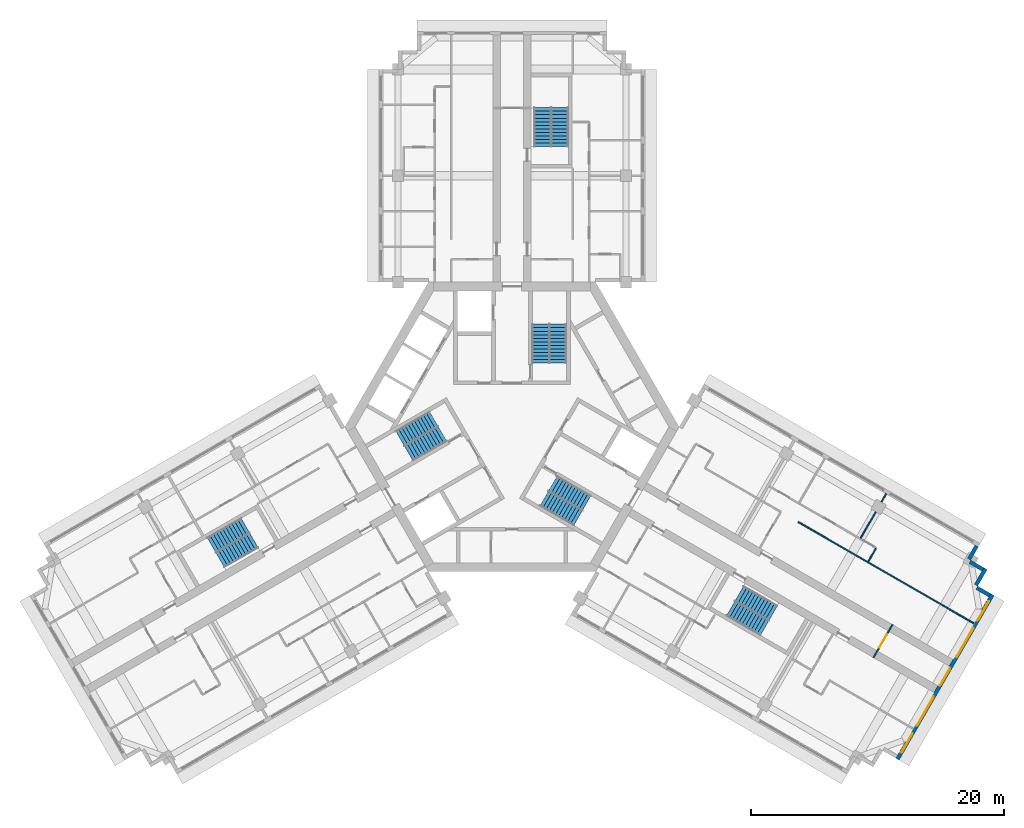
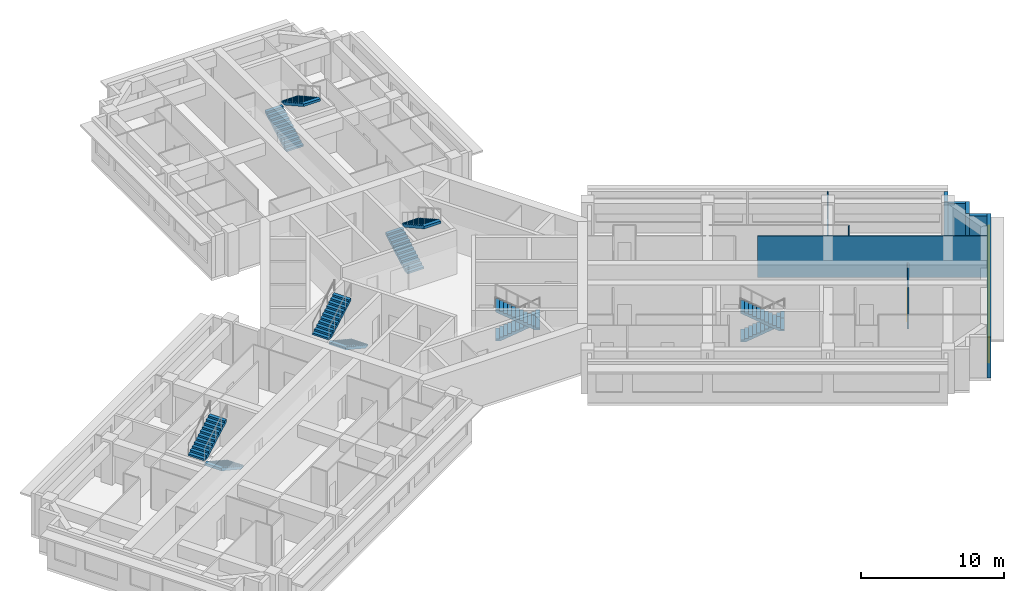
# One storey, part 9 of 10: 12 stair flights, 10 walls, 5 windows, 1 door, 6 openings, 6 elements without a shape of their own.
"""IFC4 building model written with IfcOpenShell, lengths in metres."""

from ifc_helpers import new_model, si_unit, direction, frame, frame_2d, origin, place, context, subcontext, project, spatial, polyline, rectangle, outline, extrude, material, layer, layer_set, type_object, element, fill, aggregate, save


model = new_model("IFC4")

# Units and contexts
model_context = context("Model", 3, precision=1e-05, world=origin(), true_north=direction((0.0, 1.0)))
body_context = subcontext(model_context, "Body", "Model", "MODEL_VIEW")
ifc_project = project(units=[si_unit("LENGTHUNIT", "METRE"), si_unit("AREAUNIT", "SQUARE_METRE"), si_unit("VOLUMEUNIT", "CUBIC_METRE"), si_unit("PLANEANGLEUNIT", "RADIAN"), si_unit("MASSUNIT", "GRAM", prefix="KILO")], contexts=[model_context])

# Site, building, storey
site_placement = place(None, origin())
site = spatial("IfcSite", under=ifc_project, at=site_placement, CompositionType="ELEMENT")
building_placement = place(site_placement, origin())
building = spatial("IfcBuilding", under=site, at=building_placement, Name="Impinga Residences", CompositionType="ELEMENT")
storey_placement = place(building_placement, frame((0.0, 0.0, 192.25)))
storey = spatial("IfcBuildingStorey", under=building, at=storey_placement, Name="L47", CompositionType="ELEMENT", Elevation=192.25)

# Wall, opening, door
ifc_material_1 = material(Name="Concrete blockwork", Category="masonry")
ifc_layer_1 = layer(ifc_material_1, 0.10009765625)
ifc_layer_set_1 = layer_set([ifc_layer_1], Name="CP1 core room partition, blockwork 100")
wall_type_1 = type_object("IfcWallType", Name="CP1 core room partition, blockwork 100", PredefinedType="PARTITIONING", material=ifc_layer_set_1)
wall_1_placement = place(storey_placement, frame((30.049072265625, -15.61669921875, 0.0), z_axis=(0.0, 0.0, 1.0), x_axis=(-0.499990139034, -0.866031096941, 0.0)))
wall_1 = element("IfcWall", 1, at=wall_1_placement, inside=storey, type_object=wall_type_1, Name="Core room partition, blockwork L47:E:LNG", PredefinedType="PARTITIONING", context=body_context, shape_type="SweptSolid", body=[
    extrude(rectangle(XDim=3.0, YDim=0.10009765625, at=frame_2d((1.5, 0.0))), origin(), (0.0, 0.0, 1.0), 3.530029296875),
])
opening_1_placement = place(wall_1_placement, frame((0.89990234375, 0.0, 0.0)))
opening_1 = element("IfcOpeningElement", 2, at=opening_1_placement, cuts=wall_1, Name="Opening D3", PredefinedType="OPENING", context=body_context, shape_type="SweptSolid", body=[
    extrude(rectangle(XDim=1.199951171875, YDim=2.10009765625, at=frame_2d((0.60009765625, 1.050048828125))), frame((0.0, 0.06005859375, 0.0), z_axis=(0.0, -1.0, 0.0), x_axis=(1.0, 0.0, 0.0)), (0.0, 0.0, 1.0), 0.1201171875),
])
ifc_material_2 = material(Name="Timber door set", Category="wood")
door_type = type_object("IfcDoorType", Name="D3 room door, leaf and a half 1200x2100", OperationType="DOUBLE_SWING_LEFT", PredefinedType="DOOR", material=ifc_material_2)
door_placement = place(opening_1_placement, origin())
door = element("IfcDoor", 3, at=door_placement, inside=storey, type_object=door_type, Name="Residents' lounge door E", OperationType="DOUBLE_SWING_LEFT", OverallHeight=2.10009765625, OverallWidth=1.199951171875, PredefinedType="DOOR", context=body_context, shape_type="SweptSolid", body=[
    extrude(rectangle(XDim=1.199951171875, YDim=2.10009765625, at=frame_2d((0.60009765625, 1.050048828125))), frame((0.0, 0.02490234375, 0.0), z_axis=(0.0, -1.0, 0.0), x_axis=(1.0, 0.0, 0.0)), (0.0, 0.0, 1.0), 0.050048828125),
])
fill(opening_1, door)

# Walls
ifc_material_3 = material(Name="Terracotta rainscreen on blockwork", Category="masonry")
ifc_layer_2 = layer(ifc_material_3, 0.300048828125)
ifc_layer_set_2 = layer_set([ifc_layer_2], Name="EW1 external wall, terracotta rainscreen on blockwork 300")
wall_type_2 = type_object("IfcWallType", Name="EW1 external wall, terracotta rainscreen on blockwork 300", PredefinedType="SOLIDWALL", material=ifc_layer_set_2)
wall_2_placement = place(storey_placement, frame((36.69384765625, -9.4072265625, 0.0), z_axis=(0.0, 0.0, 1.0), x_axis=(-0.499880961361, -0.866094119867, 0.0)))
element("IfcWall", 4, at=wall_2_placement, inside=storey, type_object=wall_type_2, Name="External wall EW1 L47", PredefinedType="SOLIDWALL", context=body_context, shape_type="SweptSolid", body=[
    extrude(rectangle(XDim=1.199951171875, YDim=0.300048828125, at=frame_2d((0.60009765625, 0.0))), origin(), (0.0, 0.0, 1.0), 3.530029296875),
])
wall_3_placement = place(storey_placement, frame((36.153076171875, -10.654052734375, 0.0), z_axis=(0.0, 0.0, 1.0), x_axis=(0.866059708757, -0.499940577336, 0.0)))
element("IfcWall", 5, at=wall_3_placement, inside=storey, type_object=wall_type_2, Name="External wall EW1 L47", PredefinedType="SOLIDWALL", context=body_context, shape_type="SweptSolid", body=[
    extrude(rectangle(XDim=1.195068359375, YDim=0.300048828125, at=frame_2d((0.59765625, 0.0))), origin(), (0.0, 0.0, 1.0), 3.530029296875),
])
wall_4_placement = place(storey_placement, frame((37.39306640625, -11.196533203125, 0.0), z_axis=(0.0, 0.0, 1.0), x_axis=(-0.499990139034, -0.866031096941, 0.0)))
element("IfcWall", 6, at=wall_4_placement, inside=storey, type_object=wall_type_2, Name="External wall EW1 L47", PredefinedType="SOLIDWALL", context=body_context, shape_type="SweptSolid", body=[
    extrude(rectangle(XDim=1.5, YDim=0.300048828125, at=frame_2d((0.75, 0.0))), origin(), (0.0, 0.0, 1.0), 3.530029296875),
])
wall_5_placement = place(storey_placement, frame((36.7021484375, -12.702880859375, 0.0), z_axis=(0.0, 0.0, 1.0), x_axis=(0.865971243484, -0.500093796661, 0.0)))
element("IfcWall", 7, at=wall_5_placement, inside=storey, type_object=wall_type_2, Name="External wall EW1 L47", PredefinedType="SOLIDWALL", context=body_context, shape_type="SweptSolid", body=[
    extrude(rectangle(XDim=1.195068359375, YDim=0.300048828125, at=frame_2d((0.59765625, 0.0))), origin(), (0.0, 0.0, 1.0), 3.530029296875),
])

# Wall, openings, windows
wall_6_placement = place(storey_placement, frame((37.94189453125, -13.24560546875, 0.0), z_axis=(0.0, 0.0, 1.0), x_axis=(-0.500004234368, -0.866022959057, 0.0)))
wall_6 = element("IfcWall", 8, at=wall_6_placement, inside=storey, type_object=wall_type_2, Name="External wall EW1 L47", PredefinedType="SOLIDWALL", context=body_context, shape_type="SweptSolid", body=[
    extrude(rectangle(XDim=14.999755859375, YDim=0.300048828125, at=frame_2d((7.5, 0.0))), origin(), (0.0, 0.0, 1.0), 3.530029296875),
])
opening_2_placement = place(wall_6_placement, frame((0.60009765625, 0.0, 0.89990234375)))
opening_2 = element("IfcOpeningElement", 9, at=opening_2_placement, cuts=wall_6, Name="Opening W1", PredefinedType="OPENING", context=body_context, shape_type="SweptSolid", body=[
    extrude(rectangle(XDim=1.75, YDim=2.050048828125, at=frame_2d((0.875, 1.02490234375))), frame((0.0, 0.159912109375, 0.0), z_axis=(0.0, -1.0, 0.0), x_axis=(1.0, 0.0, 0.0)), (0.0, 0.0, 1.0), 0.320068359375),
])
opening_3_placement = place(wall_6_placement, frame((3.050048828125, 0.0, 0.89990234375)))
opening_3 = element("IfcOpeningElement", 10, at=opening_3_placement, cuts=wall_6, Name="Opening W18", PredefinedType="OPENING", context=body_context, shape_type="SweptSolid", body=[
    extrude(rectangle(XDim=2.64990234375, YDim=2.050048828125, at=frame_2d((1.324951171875, 1.02490234375))), frame((0.0, 0.159912109375, 0.0), z_axis=(0.0, -1.0, 0.0), x_axis=(1.0, 0.0, 0.0)), (0.0, 0.0, 1.0), 0.320068359375),
])
opening_4_placement = place(wall_6_placement, frame((6.699951171875, 0.0, 0.89990234375)))
opening_4 = element("IfcOpeningElement", 11, at=opening_4_placement, cuts=wall_6, Name="Opening W19", PredefinedType="OPENING", context=body_context, shape_type="SweptSolid", body=[
    extrude(rectangle(XDim=1.60009765625, YDim=2.050048828125, at=frame_2d((0.800048828125, 1.02490234375))), frame((0.0, 0.159912109375, 0.0), z_axis=(0.0, -1.0, 0.0), x_axis=(1.0, 0.0, 0.0)), (0.0, 0.0, 1.0), 0.320068359375),
])
opening_5_placement = place(wall_6_placement, frame((9.300048828125, 0.0, 0.89990234375)))
opening_5 = element("IfcOpeningElement", 12, at=opening_5_placement, cuts=wall_6, Name="Opening W18", PredefinedType="OPENING", context=body_context, shape_type="SweptSolid", body=[
    extrude(rectangle(XDim=2.64990234375, YDim=2.050048828125, at=frame_2d((1.324951171875, 1.02490234375))), frame((0.0, 0.159912109375, 0.0), z_axis=(0.0, -1.0, 0.0), x_axis=(1.0, 0.0, 0.0)), (0.0, 0.0, 1.0), 0.320068359375),
])
opening_6_placement = place(wall_6_placement, frame((12.64990234375, 0.0, 0.89990234375)))
opening_6 = element("IfcOpeningElement", 13, at=opening_6_placement, cuts=wall_6, Name="Opening W1", PredefinedType="OPENING", context=body_context, shape_type="SweptSolid", body=[
    extrude(rectangle(XDim=1.75, YDim=2.050048828125, at=frame_2d((0.875, 1.02490234375))), frame((0.0, 0.159912109375, 0.0), z_axis=(0.0, -1.0, 0.0), x_axis=(1.0, 0.0, 0.0)), (0.0, 0.0, 1.0), 0.320068359375),
])
ifc_material_4 = material(Name="Aluminium window, clear double glazing", Category="aluminium")
window_type_1 = type_object("IfcWindowType", Name="W1 ribbon window 1750x2050", PartitioningType="SINGLE_PANEL", PredefinedType="WINDOW", material=ifc_material_4)
window_1_placement = place(opening_2_placement, origin())
window_1 = element("IfcWindow", 14, at=window_1_placement, inside=storey, type_object=window_type_1, Name="Window L47", OverallHeight=2.050048828125, OverallWidth=1.75, PartitioningType="SINGLE_PANEL", PredefinedType="WINDOW", context=body_context, shape_type="SweptSolid", body=[
    extrude(rectangle(XDim=1.75, YDim=2.050048828125, at=frame_2d((0.875, 1.02490234375))), frame((0.0, 0.030029296875, 0.0), z_axis=(0.0, -1.0, 0.0), x_axis=(1.0, 0.0, 0.0)), (0.0, 0.0, 1.0), 0.06005859375),
])
fill(opening_2, window_1)
window_2_placement = place(opening_6_placement, origin())
window_2 = element("IfcWindow", 15, at=window_2_placement, inside=storey, type_object=window_type_1, Name="Window L47", OverallHeight=2.050048828125, OverallWidth=1.75, PartitioningType="SINGLE_PANEL", PredefinedType="WINDOW", context=body_context, shape_type="SweptSolid", body=[
    extrude(rectangle(XDim=1.75, YDim=2.050048828125, at=frame_2d((0.875, 1.02490234375))), frame((0.0, 0.030029296875, 0.0), z_axis=(0.0, -1.0, 0.0), x_axis=(1.0, 0.0, 0.0)), (0.0, 0.0, 1.0), 0.06005859375),
])
fill(opening_6, window_2)
window_type_2 = type_object("IfcWindowType", Name="W18 ribbon window 2650x2050", PartitioningType="SINGLE_PANEL", PredefinedType="WINDOW", material=ifc_material_4)
window_3_placement = place(opening_3_placement, origin())
window_3 = element("IfcWindow", 16, at=window_3_placement, inside=storey, type_object=window_type_2, Name="Window L47", OverallHeight=2.050048828125, OverallWidth=2.64990234375, PartitioningType="SINGLE_PANEL", PredefinedType="WINDOW", context=body_context, shape_type="SweptSolid", body=[
    extrude(rectangle(XDim=2.64990234375, YDim=2.050048828125, at=frame_2d((1.324951171875, 1.02490234375))), frame((0.0, 0.030029296875, 0.0), z_axis=(0.0, -1.0, 0.0), x_axis=(1.0, 0.0, 0.0)), (0.0, 0.0, 1.0), 0.06005859375),
])
fill(opening_3, window_3)
window_4_placement = place(opening_5_placement, origin())
window_4 = element("IfcWindow", 17, at=window_4_placement, inside=storey, type_object=window_type_2, Name="Window L47", OverallHeight=2.050048828125, OverallWidth=2.64990234375, PartitioningType="SINGLE_PANEL", PredefinedType="WINDOW", context=body_context, shape_type="SweptSolid", body=[
    extrude(rectangle(XDim=2.64990234375, YDim=2.050048828125, at=frame_2d((1.324951171875, 1.02490234375))), frame((0.0, 0.030029296875, 0.0), z_axis=(0.0, -1.0, 0.0), x_axis=(1.0, 0.0, 0.0)), (0.0, 0.0, 1.0), 0.06005859375),
])
fill(opening_5, window_4)
window_type_3 = type_object("IfcWindowType", Name="W19 ribbon window 1600x2050", PartitioningType="SINGLE_PANEL", PredefinedType="WINDOW", material=ifc_material_4)
window_5_placement = place(opening_4_placement, origin())
window_5 = element("IfcWindow", 18, at=window_5_placement, inside=storey, type_object=window_type_3, Name="Window L47", OverallHeight=2.050048828125, OverallWidth=1.60009765625, PartitioningType="SINGLE_PANEL", PredefinedType="WINDOW", context=body_context, shape_type="SweptSolid", body=[
    extrude(rectangle(XDim=1.60009765625, YDim=2.050048828125, at=frame_2d((0.800048828125, 1.02490234375))), frame((0.0, 0.030029296875, 0.0), z_axis=(0.0, -1.0, 0.0), x_axis=(1.0, 0.0, 0.0)), (0.0, 0.0, 1.0), 0.06005859375),
])
fill(opening_4, window_5)

# Walls
ifc_material_5 = material(Name="Gypsum board on steel studs", Category="steel")
ifc_layer_3 = layer(ifc_material_5, 0.10009765625)
ifc_layer_set_3 = layer_set([ifc_layer_3], Name="Gypsum board on steel studs")
wall_type_3 = type_object("IfcWallType", Name="IP1 partition 100", PredefinedType="PARTITIONING", material=ifc_layer_set_3)
wall_7_placement = place(storey_placement, frame((22.605712890625, -7.5087890625, 0.0), z_axis=(0.0, 0.0, 1.0), x_axis=(0.866026010844, -0.49999894854, 0.0)))
element("IfcWall", 19, at=wall_7_placement, inside=storey, type_object=wall_type_3, Name="Partition L47-EA2:DIV1", PredefinedType="PARTITIONING", context=body_context, shape_type="SweptSolid", body=[
    extrude(rectangle(XDim=16.0, YDim=0.10009765625, at=frame_2d((8.0, 0.0))), origin(), (0.0, 0.0, 1.0), 3.530029296875),
])
wall_8_placement = place(storey_placement, frame((28.1298828125, -10.640625, 0.0), z_axis=(0.0, 0.0, 1.0), x_axis=(0.500033551112, 0.866006032174, 0.0)))
element("IfcWall", 20, at=wall_8_placement, inside=storey, type_object=wall_type_3, Name="Partition L47-EA2:SE1", PredefinedType="PARTITIONING", context=body_context, shape_type="SweptSolid", body=[
    extrude(rectangle(XDim=1.2001953125, YDim=0.10009765625, at=frame_2d((0.60009765625, 0.0))), origin(), (0.0, 0.0, 1.0), 3.530029296875),
])
wall_9_placement = place(storey_placement, frame((27.524169921875, -8.789794921875, 0.0), z_axis=(0.0, 0.0, 1.0), x_axis=(0.499957262057, 0.866050077142, 0.0)))
element("IfcWall", 21, at=wall_9_placement, inside=storey, type_object=wall_type_3, Name="Partition L47-EA2:OB2", PredefinedType="PARTITIONING", context=body_context, shape_type="SweptSolid", body=[
    extrude(rectangle(XDim=2.400146484375, YDim=0.10009765625, at=frame_2d((1.2001953125, 0.0))), origin(), (0.0, 0.0, 1.0), 2.47998046875),
])
wall_10_placement = place(storey_placement, frame((29.17431640625, -5.931884765625, 0.0), z_axis=(0.0, 0.0, 1.0), x_axis=(0.499919672301, 0.866071776036, 0.0)))
element("IfcWall", 22, at=wall_10_placement, inside=storey, type_object=wall_type_3, Name="Partition L47-EA2:OB2b", PredefinedType="PARTITIONING", context=body_context, shape_type="SweptSolid", body=[
    extrude(rectangle(XDim=0.75, YDim=0.10009765625, at=frame_2d((0.375, 0.0))), origin(), (0.0, 0.0, 1.0), 3.530029296875),
])

# Stair, stair flights
ifc_material_6 = material(Name="Concrete C40/50", Category="concrete")
stair_type_1 = type_object("IfcStairType", Name="STR core stair 3750 storey, 24 risers", PredefinedType="HALF_TURN_STAIR", material=ifc_material_6)
stair_1_placement = place(storey_placement, origin())
stair_1 = element("IfcStair", 23, at=stair_1_placement, inside=storey, type_object=stair_type_1, Name="Stair ST1 L47", PredefinedType="HALF_TURN_STAIR")
stair_flight_type = type_object("IfcStairFlightType", Name="SF 12 risers of 156", PredefinedType="STRAIGHT", material=ifc_material_6)
stair_flight_1_placement = place(storey_placement, frame((2.27490234375, 5.030029296875, 0.0), z_axis=(0.0, 0.0, 1.0), x_axis=(0.0, 1.0, 0.0)))
stair_flight_1 = element("IfcStairFlight", 24, at=stair_flight_1_placement, type_object=stair_flight_type, Name="ST1 flight 1", NumberOfRisers=12, NumberOfTreads=11, PredefinedType="STRAIGHT", RiserHeight=0.15625, TreadLength=0.28, context=body_context, shape_type="SweptSolid", body=[
    extrude(outline(polyline([(0.0, 0.0), (0.0, 0.15625), (0.280029296875, 0.15625), (0.280029296875, 0.3125), (0.56005859375, 0.3125), (0.56005859375, 0.46875), (0.840087890625, 0.46875), (0.840087890625, 0.625), (1.1201171875, 0.625), (1.1201171875, 0.78125), (1.39990234375, 0.78125), (1.39990234375, 0.9375), (1.679931640625, 0.9375), (1.679931640625, 1.09375), (1.9599609375, 1.09375), (1.9599609375, 1.25), (2.239990234375, 1.25), (2.239990234375, 1.40625), (2.52001953125, 1.40625), (2.52001953125, 1.5625), (2.800048828125, 1.5625), (2.800048828125, 1.71875), (3.080078125, 1.71875), (3.080078125, 1.875), (3.080078125, 1.5126953125), (0.369140625, 0.0), (0.0, 0.0)])), frame((0.0, 0.675048828125, 0.0), z_axis=(0.0, -1.0, 0.0), x_axis=(1.0, 0.0, 0.0)), (0.0, 0.0, 1.0), 1.35009765625),
])
stair_flight_2_placement = place(storey_placement, frame((3.625, 8.110107421875, 1.875), z_axis=(0.0, 0.0, 1.0), x_axis=(0.0, -1.0, 0.0)))
stair_flight_2 = element("IfcStairFlight", 25, at=stair_flight_2_placement, type_object=stair_flight_type, Name="ST1 flight 2", NumberOfRisers=12, NumberOfTreads=11, PredefinedType="STRAIGHT", RiserHeight=0.15625, TreadLength=0.28, context=body_context, shape_type="SweptSolid", body=[
    extrude(outline(polyline([(0.0, 0.0), (0.0, 0.15625), (0.280029296875, 0.15625), (0.280029296875, 0.3125), (0.56005859375, 0.3125), (0.56005859375, 0.46875), (0.840087890625, 0.46875), (0.840087890625, 0.625), (1.1201171875, 0.625), (1.1201171875, 0.78125), (1.39990234375, 0.78125), (1.39990234375, 0.9375), (1.679931640625, 0.9375), (1.679931640625, 1.09375), (1.9599609375, 1.09375), (1.9599609375, 1.25), (2.239990234375, 1.25), (2.239990234375, 1.40625), (2.52001953125, 1.40625), (2.52001953125, 1.5625), (2.800048828125, 1.5625), (2.800048828125, 1.71875), (3.080078125, 1.71875), (3.080078125, 1.875), (3.080078125, 1.5126953125), (0.369140625, 0.0), (0.0, 0.0)])), frame((0.0, 0.675048828125, 0.0), z_axis=(0.0, -1.0, 0.0), x_axis=(1.0, 0.0, 0.0)), (0.0, 0.0, 1.0), 1.35009765625),
])
aggregate(stair_1, [stair_flight_1, stair_flight_2])

stair_2_placement = place(storey_placement, origin())
stair_2 = element("IfcStair", 26, at=stair_2_placement, inside=storey, type_object=stair_type_1, Name="Stair ST2 L47", PredefinedType="HALF_TURN_STAIR")
stair_flight_3_placement = place(storey_placement, frame((-5.49365234375, -0.544677734375, 0.0), z_axis=(0.0, 0.0, 1.0), x_axis=(-0.866025403784, -0.5, 0.0)))
stair_flight_3 = element("IfcStairFlight", 27, at=stair_flight_3_placement, type_object=stair_flight_type, Name="ST2 flight 1", NumberOfRisers=12, NumberOfTreads=11, PredefinedType="STRAIGHT", RiserHeight=0.15625, TreadLength=0.28, context=body_context, shape_type="SweptSolid", body=[
    extrude(outline(polyline([(0.0, 0.0), (0.0, 0.15625), (0.280029296875, 0.15625), (0.280029296875, 0.3125), (0.56005859375, 0.3125), (0.56005859375, 0.46875), (0.840087890625, 0.46875), (0.840087890625, 0.625), (1.1201171875, 0.625), (1.1201171875, 0.78125), (1.39990234375, 0.78125), (1.39990234375, 0.9375), (1.679931640625, 0.9375), (1.679931640625, 1.09375), (1.9599609375, 1.09375), (1.9599609375, 1.25), (2.239990234375, 1.25), (2.239990234375, 1.40625), (2.52001953125, 1.40625), (2.52001953125, 1.5625), (2.800048828125, 1.5625), (2.800048828125, 1.71875), (3.080078125, 1.71875), (3.080078125, 1.875), (3.080078125, 1.5126953125), (0.369140625, 0.0), (0.0, 0.0)])), frame((0.0, 0.675048828125, 0.0), z_axis=(0.0, -1.0, 0.0), x_axis=(1.0, 0.0, 0.0)), (0.0, 0.0, 1.0), 1.35009765625),
])
stair_flight_4_placement = place(storey_placement, frame((-8.8359375, -0.915771484375, 1.875), z_axis=(0.0, 0.0, 1.0), x_axis=(0.866025403784, 0.5, 0.0)))
stair_flight_4 = element("IfcStairFlight", 28, at=stair_flight_4_placement, type_object=stair_flight_type, Name="ST2 flight 2", NumberOfRisers=12, NumberOfTreads=11, PredefinedType="STRAIGHT", RiserHeight=0.15625, TreadLength=0.28, context=body_context, shape_type="SweptSolid", body=[
    extrude(outline(polyline([(0.0, 0.0), (0.0, 0.15625), (0.280029296875, 0.15625), (0.280029296875, 0.3125), (0.56005859375, 0.3125), (0.56005859375, 0.46875), (0.840087890625, 0.46875), (0.840087890625, 0.625), (1.1201171875, 0.625), (1.1201171875, 0.78125), (1.39990234375, 0.78125), (1.39990234375, 0.9375), (1.679931640625, 0.9375), (1.679931640625, 1.09375), (1.9599609375, 1.09375), (1.9599609375, 1.25), (2.239990234375, 1.25), (2.239990234375, 1.40625), (2.52001953125, 1.40625), (2.52001953125, 1.5625), (2.800048828125, 1.5625), (2.800048828125, 1.71875), (3.080078125, 1.71875), (3.080078125, 1.875), (3.080078125, 1.5126953125), (0.369140625, 0.0), (0.0, 0.0)])), frame((0.0, 0.675048828125, 0.0), z_axis=(0.0, -1.0, 0.0), x_axis=(1.0, 0.0, 0.0)), (0.0, 0.0, 1.0), 1.35009765625),
])
aggregate(stair_2, [stair_flight_3, stair_flight_4])

stair_3_placement = place(storey_placement, origin())
stair_3 = element("IfcStair", 29, at=stair_3_placement, inside=storey, type_object=stair_type_1, Name="Stair ST3 L47", PredefinedType="HALF_TURN_STAIR")
stair_flight_5_placement = place(storey_placement, frame((3.218505859375, -4.485107421875, 0.0), z_axis=(0.0, 0.0, 1.0), x_axis=(0.866025403784, -0.5, 0.0)))
stair_flight_5 = element("IfcStairFlight", 30, at=stair_flight_5_placement, type_object=stair_flight_type, Name="ST3 flight 1", NumberOfRisers=12, NumberOfTreads=11, PredefinedType="STRAIGHT", RiserHeight=0.15625, TreadLength=0.28, context=body_context, shape_type="SweptSolid", body=[
    extrude(outline(polyline([(0.0, 0.0), (0.0, 0.15625), (0.280029296875, 0.15625), (0.280029296875, 0.3125), (0.56005859375, 0.3125), (0.56005859375, 0.46875), (0.840087890625, 0.46875), (0.840087890625, 0.625), (1.1201171875, 0.625), (1.1201171875, 0.78125), (1.39990234375, 0.78125), (1.39990234375, 0.9375), (1.679931640625, 0.9375), (1.679931640625, 1.09375), (1.9599609375, 1.09375), (1.9599609375, 1.25), (2.239990234375, 1.25), (2.239990234375, 1.40625), (2.52001953125, 1.40625), (2.52001953125, 1.5625), (2.800048828125, 1.5625), (2.800048828125, 1.71875), (3.080078125, 1.71875), (3.080078125, 1.875), (3.080078125, 1.5126953125), (0.369140625, 0.0), (0.0, 0.0)])), frame((0.0, 0.675048828125, 0.0), z_axis=(0.0, -1.0, 0.0), x_axis=(1.0, 0.0, 0.0)), (0.0, 0.0, 1.0), 1.35009765625),
])
stair_flight_6_placement = place(storey_placement, frame((5.2109375, -7.1943359375, 1.875), z_axis=(0.0, 0.0, 1.0), x_axis=(-0.866025403784, 0.5, 0.0)))
stair_flight_6 = element("IfcStairFlight", 31, at=stair_flight_6_placement, type_object=stair_flight_type, Name="ST3 flight 2", NumberOfRisers=12, NumberOfTreads=11, PredefinedType="STRAIGHT", RiserHeight=0.15625, TreadLength=0.28, context=body_context, shape_type="SweptSolid", body=[
    extrude(outline(polyline([(0.0, 0.0), (0.0, 0.15625), (0.280029296875, 0.15625), (0.280029296875, 0.3125), (0.56005859375, 0.3125), (0.56005859375, 0.46875), (0.840087890625, 0.46875), (0.840087890625, 0.625), (1.1201171875, 0.625), (1.1201171875, 0.78125), (1.39990234375, 0.78125), (1.39990234375, 0.9375), (1.679931640625, 0.9375), (1.679931640625, 1.09375), (1.9599609375, 1.09375), (1.9599609375, 1.25), (2.239990234375, 1.25), (2.239990234375, 1.40625), (2.52001953125, 1.40625), (2.52001953125, 1.5625), (2.800048828125, 1.5625), (2.800048828125, 1.71875), (3.080078125, 1.71875), (3.080078125, 1.875), (3.080078125, 1.5126953125), (0.369140625, 0.0), (0.0, 0.0)])), frame((0.0, 0.675048828125, 0.0), z_axis=(0.0, -1.0, 0.0), x_axis=(1.0, 0.0, 0.0)), (0.0, 0.0, 1.0), 1.35009765625),
])
aggregate(stair_3, [stair_flight_5, stair_flight_6])

stair_type_2 = type_object("IfcStairType", Name="STR wing stair 3750 storey, 24 risers", PredefinedType="HALF_TURN_STAIR", material=ifc_material_6)
stair_4_placement = place(storey_placement, origin())
stair_4 = element("IfcStair", 32, at=stair_4_placement, inside=storey, type_object=stair_type_2, Name="Stair WS1 L47", PredefinedType="HALF_TURN_STAIR")
stair_flight_7_placement = place(storey_placement, frame((2.425048828125, 22.131591796875, 0.0), z_axis=(0.0, 0.0, 1.0), x_axis=(0.0, 1.0, 0.0)))
stair_flight_7 = element("IfcStairFlight", 33, at=stair_flight_7_placement, type_object=stair_flight_type, Name="WS1 flight 1", NumberOfRisers=12, NumberOfTreads=11, PredefinedType="STRAIGHT", RiserHeight=0.15625, TreadLength=0.28, context=body_context, shape_type="SweptSolid", body=[
    extrude(outline(polyline([(0.0, 0.0), (0.0, 0.15625), (0.280029296875, 0.15625), (0.280029296875, 0.3125), (0.56005859375, 0.3125), (0.56005859375, 0.46875), (0.840087890625, 0.46875), (0.840087890625, 0.625), (1.1201171875, 0.625), (1.1201171875, 0.78125), (1.39990234375, 0.78125), (1.39990234375, 0.9375), (1.679931640625, 0.9375), (1.679931640625, 1.09375), (1.9599609375, 1.09375), (1.9599609375, 1.25), (2.239990234375, 1.25), (2.239990234375, 1.40625), (2.52001953125, 1.40625), (2.52001953125, 1.5625), (2.800048828125, 1.5625), (2.800048828125, 1.71875), (3.080078125, 1.71875), (3.080078125, 1.875), (3.080078125, 1.5126953125), (0.369140625, 0.0), (0.0, 0.0)])), frame((0.0, 0.675048828125, 0.0), z_axis=(0.0, -1.0, 0.0), x_axis=(1.0, 0.0, 0.0)), (0.0, 0.0, 1.0), 1.35009765625),
])
stair_flight_8_placement = place(storey_placement, frame((3.77490234375, 25.21142578125, 1.875), z_axis=(0.0, 0.0, 1.0), x_axis=(0.0, -1.0, 0.0)))
stair_flight_8 = element("IfcStairFlight", 34, at=stair_flight_8_placement, type_object=stair_flight_type, Name="WS1 flight 2", NumberOfRisers=12, NumberOfTreads=11, PredefinedType="STRAIGHT", RiserHeight=0.15625, TreadLength=0.28, context=body_context, shape_type="SweptSolid", body=[
    extrude(outline(polyline([(0.0, 0.0), (0.0, 0.15625), (0.280029296875, 0.15625), (0.280029296875, 0.3125), (0.56005859375, 0.3125), (0.56005859375, 0.46875), (0.840087890625, 0.46875), (0.840087890625, 0.625), (1.1201171875, 0.625), (1.1201171875, 0.78125), (1.39990234375, 0.78125), (1.39990234375, 0.9375), (1.679931640625, 0.9375), (1.679931640625, 1.09375), (1.9599609375, 1.09375), (1.9599609375, 1.25), (2.239990234375, 1.25), (2.239990234375, 1.40625), (2.52001953125, 1.40625), (2.52001953125, 1.5625), (2.800048828125, 1.5625), (2.800048828125, 1.71875), (3.080078125, 1.71875), (3.080078125, 1.875), (3.080078125, 1.5126953125), (0.369140625, 0.0), (0.0, 0.0)])), frame((0.0, 0.675048828125, 0.0), z_axis=(0.0, -1.0, 0.0), x_axis=(1.0, 0.0, 0.0)), (0.0, 0.0, 1.0), 1.35009765625),
])
aggregate(stair_4, [stair_flight_7, stair_flight_8])

stair_5_placement = place(storey_placement, origin())
stair_5 = element("IfcStair", 35, at=stair_5_placement, inside=storey, type_object=stair_type_2, Name="Stair WS2 L47", PredefinedType="HALF_TURN_STAIR")
stair_flight_9_placement = place(storey_placement, frame((-20.37890625, -8.965576171875, 0.0), z_axis=(0.0, 0.0, 1.0), x_axis=(-0.866025403784, -0.5, 0.0)))
stair_flight_9 = element("IfcStairFlight", 36, at=stair_flight_9_placement, type_object=stair_flight_type, Name="WS2 flight 1", NumberOfRisers=12, NumberOfTreads=11, PredefinedType="STRAIGHT", RiserHeight=0.15625, TreadLength=0.28, context=body_context, shape_type="SweptSolid", body=[
    extrude(outline(polyline([(0.0, 0.0), (0.0, 0.15625), (0.280029296875, 0.15625), (0.280029296875, 0.3125), (0.56005859375, 0.3125), (0.56005859375, 0.46875), (0.840087890625, 0.46875), (0.840087890625, 0.625), (1.1201171875, 0.625), (1.1201171875, 0.78125), (1.39990234375, 0.78125), (1.39990234375, 0.9375), (1.679931640625, 0.9375), (1.679931640625, 1.09375), (1.9599609375, 1.09375), (1.9599609375, 1.25), (2.239990234375, 1.25), (2.239990234375, 1.40625), (2.52001953125, 1.40625), (2.52001953125, 1.5625), (2.800048828125, 1.5625), (2.800048828125, 1.71875), (3.080078125, 1.71875), (3.080078125, 1.875), (3.080078125, 1.5126953125), (0.369140625, 0.0), (0.0, 0.0)])), frame((0.0, 0.675048828125, 0.0), z_axis=(0.0, -1.0, 0.0), x_axis=(1.0, 0.0, 0.0)), (0.0, 0.0, 1.0), 1.35009765625),
])
stair_flight_10_placement = place(storey_placement, frame((-23.721435546875, -9.33642578125, 1.875), z_axis=(0.0, 0.0, 1.0), x_axis=(0.866025403784, 0.5, 0.0)))
stair_flight_10 = element("IfcStairFlight", 37, at=stair_flight_10_placement, type_object=stair_flight_type, Name="WS2 flight 2", NumberOfRisers=12, NumberOfTreads=11, PredefinedType="STRAIGHT", RiserHeight=0.15625, TreadLength=0.28, context=body_context, shape_type="SweptSolid", body=[
    extrude(outline(polyline([(0.0, 0.0), (0.0, 0.15625), (0.280029296875, 0.15625), (0.280029296875, 0.3125), (0.56005859375, 0.3125), (0.56005859375, 0.46875), (0.840087890625, 0.46875), (0.840087890625, 0.625), (1.1201171875, 0.625), (1.1201171875, 0.78125), (1.39990234375, 0.78125), (1.39990234375, 0.9375), (1.679931640625, 0.9375), (1.679931640625, 1.09375), (1.9599609375, 1.09375), (1.9599609375, 1.25), (2.239990234375, 1.25), (2.239990234375, 1.40625), (2.52001953125, 1.40625), (2.52001953125, 1.5625), (2.800048828125, 1.5625), (2.800048828125, 1.71875), (3.080078125, 1.71875), (3.080078125, 1.875), (3.080078125, 1.5126953125), (0.369140625, 0.0), (0.0, 0.0)])), frame((0.0, 0.675048828125, 0.0), z_axis=(0.0, -1.0, 0.0), x_axis=(1.0, 0.0, 0.0)), (0.0, 0.0, 1.0), 1.35009765625),
])
aggregate(stair_5, [stair_flight_9, stair_flight_10])

stair_6_placement = place(storey_placement, origin())
stair_6 = element("IfcStair", 38, at=stair_6_placement, inside=storey, type_object=stair_type_2, Name="Stair WS3 L47", PredefinedType="HALF_TURN_STAIR")
stair_flight_11_placement = place(storey_placement, frame((17.953857421875, -13.165771484375, 0.0), z_axis=(0.0, 0.0, 1.0), x_axis=(0.866025403784, -0.5, 0.0)))
stair_flight_11 = element("IfcStairFlight", 39, at=stair_flight_11_placement, type_object=stair_flight_type, Name="WS3 flight 1", NumberOfRisers=12, NumberOfTreads=11, PredefinedType="STRAIGHT", RiserHeight=0.15625, TreadLength=0.28, context=body_context, shape_type="SweptSolid", body=[
    extrude(outline(polyline([(0.0, 0.0), (0.0, 0.15625), (0.280029296875, 0.15625), (0.280029296875, 0.3125), (0.56005859375, 0.3125), (0.56005859375, 0.46875), (0.840087890625, 0.46875), (0.840087890625, 0.625), (1.1201171875, 0.625), (1.1201171875, 0.78125), (1.39990234375, 0.78125), (1.39990234375, 0.9375), (1.679931640625, 0.9375), (1.679931640625, 1.09375), (1.9599609375, 1.09375), (1.9599609375, 1.25), (2.239990234375, 1.25), (2.239990234375, 1.40625), (2.52001953125, 1.40625), (2.52001953125, 1.5625), (2.800048828125, 1.5625), (2.800048828125, 1.71875), (3.080078125, 1.71875), (3.080078125, 1.875), (3.080078125, 1.5126953125), (0.369140625, 0.0), (0.0, 0.0)])), frame((0.0, 0.675048828125, 0.0), z_axis=(0.0, -1.0, 0.0), x_axis=(1.0, 0.0, 0.0)), (0.0, 0.0, 1.0), 1.35009765625),
])
stair_flight_12_placement = place(storey_placement, frame((19.9462890625, -15.875, 1.875), z_axis=(0.0, 0.0, 1.0), x_axis=(-0.866025403784, 0.5, 0.0)))
stair_flight_12 = element("IfcStairFlight", 40, at=stair_flight_12_placement, type_object=stair_flight_type, Name="WS3 flight 2", NumberOfRisers=12, NumberOfTreads=11, PredefinedType="STRAIGHT", RiserHeight=0.15625, TreadLength=0.28, context=body_context, shape_type="SweptSolid", body=[
    extrude(outline(polyline([(0.0, 0.0), (0.0, 0.15625), (0.280029296875, 0.15625), (0.280029296875, 0.3125), (0.56005859375, 0.3125), (0.56005859375, 0.46875), (0.840087890625, 0.46875), (0.840087890625, 0.625), (1.1201171875, 0.625), (1.1201171875, 0.78125), (1.39990234375, 0.78125), (1.39990234375, 0.9375), (1.679931640625, 0.9375), (1.679931640625, 1.09375), (1.9599609375, 1.09375), (1.9599609375, 1.25), (2.239990234375, 1.25), (2.239990234375, 1.40625), (2.52001953125, 1.40625), (2.52001953125, 1.5625), (2.800048828125, 1.5625), (2.800048828125, 1.71875), (3.080078125, 1.71875), (3.080078125, 1.875), (3.080078125, 1.5126953125), (0.369140625, 0.0), (0.0, 0.0)])), frame((0.0, 0.675048828125, 0.0), z_axis=(0.0, -1.0, 0.0), x_axis=(1.0, 0.0, 0.0)), (0.0, 0.0, 1.0), 1.35009765625),
])
aggregate(stair_6, [stair_flight_11, stair_flight_12])

save(model, "model.ifc")
